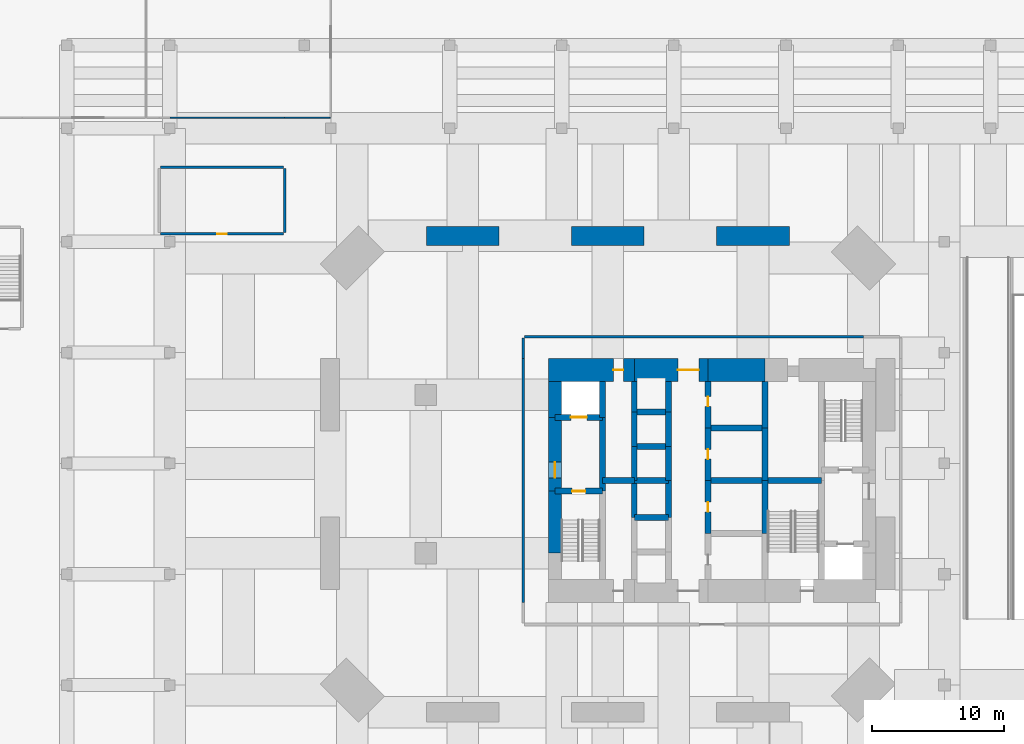
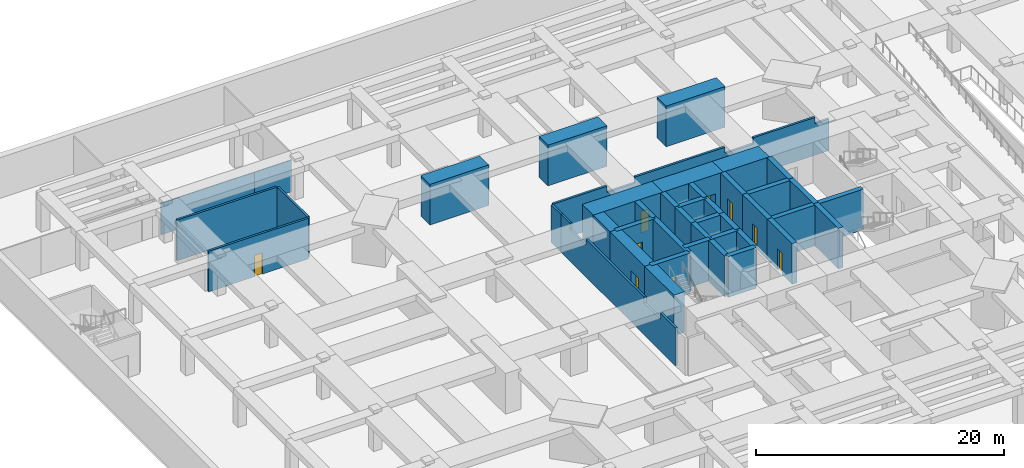
# One storey, part 6 of 10: 43 walls, 9 doors, 9 openings.
"""IFC4 building model written with IfcOpenShell, lengths in metres."""

from ifc_helpers import new_model, si_unit, direction, frame, frame_2d, origin, place, context, subcontext, project, spatial, polyline, rectangle, outline, extrude, material, layer, layer_set, constituent, constituent_set, type_object, element, fill, save


model = new_model("IFC4")

# Units and contexts
model_context = context("Model", 3, precision=1e-05, world=origin(), true_north=direction((0.0, 1.0)))
body_context = subcontext(model_context, "Body", "Model", "MODEL_VIEW")
ifc_project = project(units=[si_unit("LENGTHUNIT", "METRE"), si_unit("AREAUNIT", "SQUARE_METRE"), si_unit("VOLUMEUNIT", "CUBIC_METRE"), si_unit("PLANEANGLEUNIT", "RADIAN"), si_unit("MASSUNIT", "GRAM", prefix="KILO")], contexts=[model_context])

# Site, building, storey
site_placement = place(None, origin())
site = spatial("IfcSite", under=ifc_project, at=site_placement, CompositionType="ELEMENT")
building_placement = place(site_placement, origin())
building = spatial("IfcBuilding", under=site, at=building_placement, Name="Jalousie Tower", CompositionType="ELEMENT")
storey_placement = place(building_placement, frame((0.0, 0.0, -4.0)))
storey = spatial("IfcBuildingStorey", under=building, at=storey_placement, Name="B1", CompositionType="ELEMENT", Elevation=-4.0)

# Wall
ifc_material_1 = material(Name="Concrete f'c 120 MPa", Category="concrete")
ifc_layer_1 = layer(ifc_material_1, 1.0)
ifc_layer_set_1 = layer_set([ifc_layer_1], Name="Concrete f'c 120 MPa")
wall_type_1 = type_object("IfcWallType", Name="CORE WALL 1000", PredefinedType="SHEAR", material=ifc_layer_set_1)
wall_1_placement = place(storey_placement, frame((20.0, 26.0, 0.0), z_axis=(0.0, 0.0, 1.0), x_axis=(0.0, -1.0, 0.0)))
element("IfcWall", 1, at=wall_1_placement, inside=storey, type_object=wall_type_1, Name="Core wall WA B1", PredefinedType="SHEAR", context=body_context, shape_type="SweptSolid", body=[
    extrude(rectangle(XDim=2.699951171875, YDim=1.0, at=frame_2d((1.35009765625, 0.0))), origin(), (0.0, 0.0, 1.0), 4.0),
])

# Wall, opening, door
wall_2_placement = place(storey_placement, frame((20.0, 23.300048828125, 0.0), z_axis=(0.0, 0.0, 1.0), x_axis=(0.0, -1.0, 0.0)))
wall_2 = element("IfcWall", 2, at=wall_2_placement, inside=storey, type_object=wall_type_1, Name="Core wall WB B1", PredefinedType="SHEAR", context=body_context, shape_type="SweptSolid", body=[
    extrude(rectangle(XDim=5.60009765625, YDim=1.0, at=frame_2d((2.800048828125, 0.0))), origin(), (0.0, 0.0, 1.0), 4.0),
])
opening_1_placement = place(wall_2_placement, frame((3.39990234375, 0.0, 0.0)))
opening_1 = element("IfcOpeningElement", 3, at=opening_1_placement, cuts=wall_2, Name="Opening D11", PredefinedType="OPENING", context=body_context, shape_type="SweptSolid", body=[
    extrude(rectangle(XDim=1.199951171875, YDim=2.199951171875, at=frame_2d((0.60009765625, 1.10009765625))), frame((0.0, 0.510009765625, 0.0), z_axis=(0.0, -1.0, 0.0), x_axis=(1.0, 0.0, 0.0)), (0.0, 0.0, 1.0), 1.02001953125),
])
ifc_material_2 = material(Name="Steel fire door", Category="steel")
door_type_1 = type_object("IfcDoorType", Name="FIRE DOOR 1200", OperationType="SINGLE_SWING_LEFT", PredefinedType="DOOR", material=ifc_material_2)
door_1_placement = place(opening_1_placement, origin())
door_1 = element("IfcDoor", 4, at=door_1_placement, inside=storey, type_object=door_type_1, Name="Fire-fighting lobby A door", OperationType="SINGLE_SWING_RIGHT", OverallHeight=2.199951171875, OverallWidth=1.199951171875, PredefinedType="DOOR", context=body_context, shape_type="SweptSolid", body=[
    extrude(rectangle(XDim=1.199951171875, YDim=2.199951171875, at=frame_2d((0.60009765625, 1.10009765625))), frame((0.0, 0.02490234375, 0.0), z_axis=(0.0, -1.0, 0.0), x_axis=(1.0, 0.0, 0.0)), (0.0, 0.0, 1.0), 0.050048828125),
])
fill(opening_1, door_1)

# Walls
wall_3_placement = place(storey_placement, frame((20.0, 17.699951171875, 0.0), z_axis=(0.0, 0.0, 1.0), x_axis=(0.0, -1.0, 0.0)))
element("IfcWall", 5, at=wall_3_placement, inside=storey, type_object=wall_type_1, Name="Core wall WC B1", PredefinedType="SHEAR", context=body_context, shape_type="SweptSolid", body=[
    extrude(rectangle(XDim=4.699951171875, YDim=1.0, at=frame_2d((2.35009765625, 0.0))), origin(), (0.0, 0.0, 1.0), 4.0),
])
ifc_material_3 = material(Name="Concrete f'c 120 MPa", Category="concrete")
ifc_layer_2 = layer(ifc_material_3, 1.75)
ifc_layer_set_2 = layer_set([ifc_layer_2], Name="Concrete f'c 120 MPa")
wall_type_2 = type_object("IfcWallType", Name="CORE WALL 1750", PredefinedType="SHEAR", material=ifc_layer_set_2)
wall_4_placement = place(storey_placement, frame((35.89990234375, 26.875, 0.0), z_axis=(0.0, 0.0, 1.0), x_axis=(-1.0, 0.0, 0.0)))
element("IfcWall", 6, at=wall_4_placement, inside=storey, type_object=wall_type_2, Name="Core wall NB B1", PredefinedType="SHEAR", context=body_context, shape_type="SweptSolid", body=[
    extrude(rectangle(XDim=4.2998046875, YDim=1.75, at=frame_2d((2.14990234375, 0.0))), origin(), (0.0, 0.0, 1.0), 4.0),
])

# Wall, opening, door
wall_5_placement = place(storey_placement, frame((31.60009765625, 26.875, 0.0), z_axis=(0.0, 0.0, 1.0), x_axis=(-1.0, 0.0, 0.0)))
wall_5 = element("IfcWall", 7, at=wall_5_placement, inside=storey, type_object=wall_type_2, Name="Core wall NC B1", PredefinedType="SHEAR", context=body_context, shape_type="SweptSolid", body=[
    extrude(rectangle(XDim=5.60009765625, YDim=1.75, at=frame_2d((2.800048828125, 0.0))), origin(), (0.0, 0.0, 1.0), 4.0),
])
opening_2_placement = place(wall_5_placement, frame((0.699951171875, 0.0, 0.0)))
opening_2 = element("IfcOpeningElement", 8, at=opening_2_placement, cuts=wall_5, Name="Opening D15", PredefinedType="OPENING", context=body_context, shape_type="SweptSolid", body=[
    extrude(rectangle(XDim=1.60009765625, YDim=2.10009765625, at=frame_2d((0.800048828125, 1.050048828125))), frame((0.0, 0.885009765625, 0.0), z_axis=(0.0, -1.0, 0.0), x_axis=(1.0, 0.0, 0.0)), (0.0, 0.0, 1.0), 1.77001953125),
])
ifc_material_4 = material(Name="Steel fire door", Category="steel")
door_type_2 = type_object("IfcDoorType", Name="LIFT LOBBY DOOR 1600", OperationType="DOUBLE_DOOR_SINGLE_SWING", PredefinedType="DOOR", material=ifc_material_4)
door_2_placement = place(opening_2_placement, origin())
door_2 = element("IfcDoor", 9, at=door_2_placement, inside=storey, type_object=door_type_2, Name="Lift lobby north door", OperationType="DOUBLE_DOOR_SINGLE_SWING", OverallHeight=2.10009765625, OverallWidth=1.60009765625, PredefinedType="DOOR", context=body_context, shape_type="SweptSolid", body=[
    extrude(rectangle(XDim=1.60009765625, YDim=2.10009765625, at=frame_2d((0.800048828125, 1.050048828125))), frame((0.0, 0.02490234375, 0.0), z_axis=(0.0, -1.0, 0.0), x_axis=(1.0, 0.0, 0.0)), (0.0, 0.0, 1.0), 0.050048828125),
])
fill(opening_2, door_2)

wall_6_placement = place(storey_placement, frame((26.0, 26.875, 0.0), z_axis=(0.0, 0.0, 1.0), x_axis=(-1.0, 0.0, 0.0)))
wall_6 = element("IfcWall", 10, at=wall_6_placement, inside=storey, type_object=wall_type_2, Name="Core wall ND B1", PredefinedType="SHEAR", context=body_context, shape_type="SweptSolid", body=[
    extrude(rectangle(XDim=6.5, YDim=1.75, at=frame_2d((3.25, 0.0))), origin(), (0.0, 0.0, 1.0), 4.0),
])
opening_3_placement = place(wall_6_placement, frame((0.824951171875, 0.0, 0.0)))
opening_3 = element("IfcOpeningElement", 11, at=opening_3_placement, cuts=wall_6, Name="Opening D16", PredefinedType="OPENING", context=body_context, shape_type="SweptSolid", body=[
    extrude(rectangle(XDim=0.75, YDim=2.10009765625, at=frame_2d((0.375, 1.050048828125))), frame((0.0, 0.885009765625, 0.0), z_axis=(0.0, -1.0, 0.0), x_axis=(1.0, 0.0, 0.0)), (0.0, 0.0, 1.0), 1.77001953125),
])
ifc_material_5 = material(Name="Steel fire door", Category="steel")
door_type_3 = type_object("IfcDoorType", Name="RISER DOOR 750", OperationType="SINGLE_SWING_LEFT", PredefinedType="DOOR", material=ifc_material_5)
door_3_placement = place(opening_3_placement, origin())
door_3 = element("IfcDoor", 12, at=door_3_placement, inside=storey, type_object=door_type_3, Name="North riser door", OperationType="SINGLE_SWING_RIGHT", OverallHeight=2.10009765625, OverallWidth=0.75, PredefinedType="DOOR", context=body_context, shape_type="SweptSolid", body=[
    extrude(rectangle(XDim=0.75, YDim=2.10009765625, at=frame_2d((0.375, 1.050048828125))), frame((0.0, 0.02490234375, 0.0), z_axis=(0.0, -1.0, 0.0), x_axis=(1.0, 0.0, 0.0)), (0.0, 0.0, 1.0), 0.050048828125),
])
fill(opening_3, door_3)

# Walls
ifc_material_6 = material(Name="Concrete f'c 120 MPa", Category="concrete")
ifc_layer_3 = layer(ifc_material_6, 0.449951171875)
ifc_layer_set_3 = layer_set([ifc_layer_3], Name="Concrete f'c 120 MPa")
wall_type_3 = type_object("IfcWallType", Name="CORE WALL 450", PredefinedType="SHEAR", material=ifc_layer_set_3)
wall_7_placement = place(storey_placement, frame((23.60009765625, 17.699951171875, 0.0), z_axis=(0.0, 0.0, 1.0), x_axis=(0.0, 1.0, 0.0)))
element("IfcWall", 13, at=wall_7_placement, inside=storey, type_object=wall_type_3, Name="Core wall X23.6B B1", PredefinedType="SHEAR", context=body_context, shape_type="SweptSolid", body=[
    extrude(rectangle(XDim=5.60009765625, YDim=0.449951171875, at=frame_2d((2.800048828125, 0.0))), origin(), (0.0, 0.0, 1.0), 4.0),
])
wall_8_placement = place(storey_placement, frame((23.60009765625, 23.300048828125, 0.0), z_axis=(0.0, 0.0, 1.0), x_axis=(0.0, 1.0, 0.0)))
element("IfcWall", 14, at=wall_8_placement, inside=storey, type_object=wall_type_3, Name="Core wall X23.6C B1", PredefinedType="SHEAR", context=body_context, shape_type="SweptSolid", body=[
    extrude(rectangle(XDim=2.699951171875, YDim=0.449951171875, at=frame_2d((1.35009765625, 0.0))), origin(), (0.0, 0.0, 1.0), 4.0),
])
wall_9_placement = place(storey_placement, frame((26.0, 15.699951171875, 0.0), z_axis=(0.0, 0.0, 1.0), x_axis=(0.0, 1.0, 0.0)))
element("IfcWall", 15, at=wall_9_placement, inside=storey, type_object=wall_type_3, Name="Core wall X26C B1", PredefinedType="SHEAR", context=body_context, shape_type="SweptSolid", body=[
    extrude(rectangle(XDim=2.800048828125, YDim=0.449951171875, at=frame_2d((1.39990234375, 0.0))), origin(), (0.0, 0.0, 1.0), 4.0),
])
wall_10_placement = place(storey_placement, frame((26.0, 18.5, 0.0), z_axis=(0.0, 0.0, 1.0), x_axis=(0.0, 1.0, 0.0)))
element("IfcWall", 16, at=wall_10_placement, inside=storey, type_object=wall_type_3, Name="Core wall X26D B1", PredefinedType="SHEAR", context=body_context, shape_type="SweptSolid", body=[
    extrude(rectangle(XDim=2.60009765625, YDim=0.449951171875, at=frame_2d((1.300048828125, 0.0))), origin(), (0.0, 0.0, 1.0), 4.0),
])
wall_11_placement = place(storey_placement, frame((26.0, 21.10009765625, 0.0), z_axis=(0.0, 0.0, 1.0), x_axis=(0.0, 1.0, 0.0)))
element("IfcWall", 17, at=wall_11_placement, inside=storey, type_object=wall_type_3, Name="Core wall X26E B1", PredefinedType="SHEAR", context=body_context, shape_type="SweptSolid", body=[
    extrude(rectangle(XDim=2.599853515625, YDim=0.449951171875, at=frame_2d((1.2998046875, 0.0))), origin(), (0.0, 0.0, 1.0), 4.0),
])
wall_12_placement = place(storey_placement, frame((26.0, 23.699951171875, 0.0), z_axis=(0.0, 0.0, 1.0), x_axis=(0.0, 1.0, 0.0)))
element("IfcWall", 18, at=wall_12_placement, inside=storey, type_object=wall_type_3, Name="Core wall X26F B1", PredefinedType="SHEAR", context=body_context, shape_type="SweptSolid", body=[
    extrude(rectangle(XDim=2.300048828125, YDim=0.449951171875, at=frame_2d((1.14990234375, 0.0))), origin(), (0.0, 0.0, 1.0), 4.0),
])
wall_13_placement = place(storey_placement, frame((28.60009765625, 15.699951171875, 0.0), z_axis=(0.0, 0.0, 1.0), x_axis=(0.0, 1.0, 0.0)))
element("IfcWall", 19, at=wall_13_placement, inside=storey, type_object=wall_type_3, Name="Core wall X28.6C B1", PredefinedType="SHEAR", context=body_context, shape_type="SweptSolid", body=[
    extrude(rectangle(XDim=2.800048828125, YDim=0.449951171875, at=frame_2d((1.39990234375, 0.0))), origin(), (0.0, 0.0, 1.0), 4.0),
])
wall_14_placement = place(storey_placement, frame((28.60009765625, 18.5, 0.0), z_axis=(0.0, 0.0, 1.0), x_axis=(0.0, 1.0, 0.0)))
element("IfcWall", 20, at=wall_14_placement, inside=storey, type_object=wall_type_3, Name="Core wall X28.6D B1", PredefinedType="SHEAR", context=body_context, shape_type="SweptSolid", body=[
    extrude(rectangle(XDim=2.60009765625, YDim=0.449951171875, at=frame_2d((1.300048828125, 0.0))), origin(), (0.0, 0.0, 1.0), 4.0),
])
wall_15_placement = place(storey_placement, frame((28.60009765625, 21.10009765625, 0.0), z_axis=(0.0, 0.0, 1.0), x_axis=(0.0, 1.0, 0.0)))
element("IfcWall", 21, at=wall_15_placement, inside=storey, type_object=wall_type_3, Name="Core wall X28.6E B1", PredefinedType="SHEAR", context=body_context, shape_type="SweptSolid", body=[
    extrude(rectangle(XDim=2.599853515625, YDim=0.449951171875, at=frame_2d((1.2998046875, 0.0))), origin(), (0.0, 0.0, 1.0), 4.0),
])
wall_16_placement = place(storey_placement, frame((28.60009765625, 23.699951171875, 0.0), z_axis=(0.0, 0.0, 1.0), x_axis=(0.0, 1.0, 0.0)))
element("IfcWall", 22, at=wall_16_placement, inside=storey, type_object=wall_type_3, Name="Core wall X28.6F B1", PredefinedType="SHEAR", context=body_context, shape_type="SweptSolid", body=[
    extrude(rectangle(XDim=2.300048828125, YDim=0.449951171875, at=frame_2d((1.14990234375, 0.0))), origin(), (0.0, 0.0, 1.0), 4.0),
])

# Wall, opening, door
wall_17_placement = place(storey_placement, frame((31.60009765625, 14.5, 0.0), z_axis=(0.0, 0.0, 1.0), x_axis=(0.0, 1.0, 0.0)))
wall_17 = element("IfcWall", 23, at=wall_17_placement, inside=storey, type_object=wall_type_3, Name="Core wall X31.6B B1", PredefinedType="SHEAR", context=body_context, shape_type="SweptSolid", body=[
    extrude(rectangle(XDim=4.0, YDim=0.449951171875, at=frame_2d((2.0, 0.0))), origin(), (0.0, 0.0, 1.0), 4.0),
])
opening_4_placement = place(wall_17_placement, frame((1.625, 0.0, 0.0)))
opening_4 = element("IfcOpeningElement", 24, at=opening_4_placement, cuts=wall_17, Name="Opening D16", PredefinedType="OPENING", context=body_context, shape_type="SweptSolid", body=[
    extrude(rectangle(XDim=0.75, YDim=2.10009765625, at=frame_2d((0.375, 1.050048828125))), frame((0.0, 0.23486328125, 0.0), z_axis=(0.0, -1.0, 0.0), x_axis=(1.0, 0.0, 0.0)), (0.0, 0.0, 1.0), 0.469970703125),
])
door_4_placement = place(opening_4_placement, frame((0.75, 0.0, 0.0), z_axis=(0.0, 0.0, 1.0), x_axis=(-1.0, 0.0, 0.0)))
door_4 = element("IfcDoor", 25, at=door_4_placement, inside=storey, type_object=door_type_3, Name="Electrical Room door", OperationType="SINGLE_SWING_RIGHT", OverallHeight=2.10009765625, OverallWidth=0.75, PredefinedType="DOOR", context=body_context, shape_type="SweptSolid", body=[
    extrude(rectangle(XDim=0.75, YDim=2.10009765625, at=frame_2d((0.375, 1.050048828125))), frame((0.0, 0.02490234375, 0.0), z_axis=(0.0, -1.0, 0.0), x_axis=(1.0, 0.0, 0.0)), (0.0, 0.0, 1.0), 0.050048828125),
])
fill(opening_4, door_4)

wall_18_placement = place(storey_placement, frame((31.60009765625, 18.5, 0.0), z_axis=(0.0, 0.0, 1.0), x_axis=(0.0, 1.0, 0.0)))
wall_18 = element("IfcWall", 26, at=wall_18_placement, inside=storey, type_object=wall_type_3, Name="Core wall X31.6C B1", PredefinedType="SHEAR", context=body_context, shape_type="SweptSolid", body=[
    extrude(rectangle(XDim=4.0, YDim=0.449951171875, at=frame_2d((2.0, 0.0))), origin(), (0.0, 0.0, 1.0), 4.0),
])
opening_5_placement = place(wall_18_placement, frame((1.625, 0.0, 0.0)))
opening_5 = element("IfcOpeningElement", 27, at=opening_5_placement, cuts=wall_18, Name="Opening D16", PredefinedType="OPENING", context=body_context, shape_type="SweptSolid", body=[
    extrude(rectangle(XDim=0.75, YDim=2.10009765625, at=frame_2d((0.375, 1.050048828125))), frame((0.0, 0.23486328125, 0.0), z_axis=(0.0, -1.0, 0.0), x_axis=(1.0, 0.0, 0.0)), (0.0, 0.0, 1.0), 0.469970703125),
])
door_5_placement = place(opening_5_placement, frame((0.75, 0.0, 0.0), z_axis=(0.0, 0.0, 1.0), x_axis=(-1.0, 0.0, 0.0)))
door_5 = element("IfcDoor", 28, at=door_5_placement, inside=storey, type_object=door_type_3, Name="Telecom Room door", OperationType="SINGLE_SWING_RIGHT", OverallHeight=2.10009765625, OverallWidth=0.75, PredefinedType="DOOR", context=body_context, shape_type="SweptSolid", body=[
    extrude(rectangle(XDim=0.75, YDim=2.10009765625, at=frame_2d((0.375, 1.050048828125))), frame((0.0, 0.02490234375, 0.0), z_axis=(0.0, -1.0, 0.0), x_axis=(1.0, 0.0, 0.0)), (0.0, 0.0, 1.0), 0.050048828125),
])
fill(opening_5, door_5)

wall_19_placement = place(storey_placement, frame((31.60009765625, 22.5, 0.0), z_axis=(0.0, 0.0, 1.0), x_axis=(0.0, 1.0, 0.0)))
wall_19 = element("IfcWall", 29, at=wall_19_placement, inside=storey, type_object=wall_type_3, Name="Core wall X31.6D B1", PredefinedType="SHEAR", context=body_context, shape_type="SweptSolid", body=[
    extrude(rectangle(XDim=3.5, YDim=0.449951171875, at=frame_2d((1.75, 0.0))), origin(), (0.0, 0.0, 1.0), 4.0),
])
opening_6_placement = place(wall_19_placement, frame((1.625, 0.0, 0.0)))
opening_6 = element("IfcOpeningElement", 30, at=opening_6_placement, cuts=wall_19, Name="Opening D16", PredefinedType="OPENING", context=body_context, shape_type="SweptSolid", body=[
    extrude(rectangle(XDim=0.75, YDim=2.10009765625, at=frame_2d((0.375, 1.050048828125))), frame((0.0, 0.23486328125, 0.0), z_axis=(0.0, -1.0, 0.0), x_axis=(1.0, 0.0, 0.0)), (0.0, 0.0, 1.0), 0.469970703125),
])
door_6_placement = place(opening_6_placement, frame((0.75, 0.0, 0.0), z_axis=(0.0, 0.0, 1.0), x_axis=(-1.0, 0.0, 0.0)))
door_6 = element("IfcDoor", 31, at=door_6_placement, inside=storey, type_object=door_type_3, Name="Water Services Room door", OperationType="SINGLE_SWING_LEFT", OverallHeight=2.10009765625, OverallWidth=0.75, PredefinedType="DOOR", context=body_context, shape_type="SweptSolid", body=[
    extrude(rectangle(XDim=0.75, YDim=2.10009765625, at=frame_2d((0.375, 1.050048828125))), frame((0.0, 0.02490234375, 0.0), z_axis=(0.0, -1.0, 0.0), x_axis=(1.0, 0.0, 0.0)), (0.0, 0.0, 1.0), 0.050048828125),
])
fill(opening_6, door_6)

# Walls
for number, where, z_axis, x_axis, name in (
    (32, (35.89990234375, 14.5, 0.0), (0.0, 0.0, 1.0), (0.0, 1.0, 0.0), "Core wall X35.9B B1"),
    (33, (35.89990234375, 18.5, 0.0), (0.0, 0.0, 1.0), (0.0, 1.0, 0.0), "Core wall X35.9C B1"),
):
    element("IfcWall", number, at=place(storey_placement, frame(where, z_axis=z_axis, x_axis=x_axis)), inside=storey, type_object=wall_type_3, Name=name, PredefinedType="SHEAR", context=body_context, shape_type="SweptSolid", body=[
        extrude(rectangle(XDim=4.0, YDim=0.449951171875, at=frame_2d((2.0, 0.0))), origin(), (0.0, 0.0, 1.0), 4.0),
    ])
wall_20_placement = place(storey_placement, frame((35.89990234375, 22.5, 0.0), z_axis=(0.0, 0.0, 1.0), x_axis=(0.0, 1.0, 0.0)))
element("IfcWall", 34, at=wall_20_placement, inside=storey, type_object=wall_type_3, Name="Core wall X35.9D B1", PredefinedType="SHEAR", context=body_context, shape_type="SweptSolid", body=[
    extrude(rectangle(XDim=3.5, YDim=0.449951171875, at=frame_2d((1.75, 0.0))), origin(), (0.0, 0.0, 1.0), 4.0),
])

# Wall, opening, door
wall_21_placement = place(storey_placement, frame((20.0, 17.699951171875, 0.0), z_axis=(0.0, 0.0, 1.0), x_axis=(1.0, 0.0, 0.0)))
wall_21 = element("IfcWall", 35, at=wall_21_placement, inside=storey, type_object=wall_type_3, Name="Core wall Y20-17.7 B1", PredefinedType="SHEAR", context=body_context, shape_type="SweptSolid", body=[
    extrude(rectangle(XDim=3.60009765625, YDim=0.449951171875, at=frame_2d((1.800048828125, 0.0))), origin(), (0.0, 0.0, 1.0), 4.0),
])
opening_7_placement = place(wall_21_placement, frame((1.300048828125, 0.0, 0.0)))
opening_7 = element("IfcOpeningElement", 36, at=opening_7_placement, cuts=wall_21, Name="Opening D10", PredefinedType="OPENING", context=body_context, shape_type="SweptSolid", body=[
    extrude(rectangle(XDim=1.0, YDim=2.10009765625, at=frame_2d((0.5, 1.050048828125))), frame((0.0, 0.23486328125, 0.0), z_axis=(0.0, -1.0, 0.0), x_axis=(1.0, 0.0, 0.0)), (0.0, 0.0, 1.0), 0.469970703125),
])
ifc_material_7 = material(Name="Steel fire door", Category="steel")
door_type_4 = type_object("IfcDoorType", Name="STAIR DOOR 1000", OperationType="SINGLE_SWING_LEFT", PredefinedType="DOOR", material=ifc_material_7)
door_7_placement = place(opening_7_placement, frame((1.0, 0.0, 0.0), z_axis=(0.0, 0.0, 1.0), x_axis=(-1.0, 0.0, 0.0)))
door_7 = element("IfcDoor", 37, at=door_7_placement, inside=storey, type_object=door_type_4, Name="Exit stair A door", OperationType="SINGLE_SWING_RIGHT", OverallHeight=2.10009765625, OverallWidth=1.0, PredefinedType="DOOR", context=body_context, shape_type="SweptSolid", body=[
    extrude(rectangle(XDim=1.0, YDim=2.10009765625, at=frame_2d((0.5, 1.050048828125))), frame((0.0, 0.02490234375, 0.0), z_axis=(0.0, -1.0, 0.0), x_axis=(1.0, 0.0, 0.0)), (0.0, 0.0, 1.0), 0.050048828125),
])
fill(opening_7, door_7)

wall_22_placement = place(storey_placement, frame((20.0, 23.300048828125, 0.0), z_axis=(0.0, 0.0, 1.0), x_axis=(1.0, 0.0, 0.0)))
wall_22 = element("IfcWall", 38, at=wall_22_placement, inside=storey, type_object=wall_type_3, Name="Core wall Y20-23.3 B1", PredefinedType="SHEAR", context=body_context, shape_type="SweptSolid", body=[
    extrude(rectangle(XDim=3.60009765625, YDim=0.449951171875, at=frame_2d((1.800048828125, 0.0))), origin(), (0.0, 0.0, 1.0), 4.0),
])
opening_8_placement = place(wall_22_placement, frame((1.199951171875, 0.0, 0.0)))
opening_8 = element("IfcOpeningElement", 39, at=opening_8_placement, cuts=wall_22, Name="Opening LD2", PredefinedType="OPENING", context=body_context, shape_type="SweptSolid", body=[
    extrude(rectangle(XDim=1.199951171875, YDim=2.10009765625, at=frame_2d((0.60009765625, 1.050048828125))), frame((0.0, 0.23486328125, 0.0), z_axis=(0.0, -1.0, 0.0), x_axis=(1.0, 0.0, 0.0)), (0.0, 0.0, 1.0), 0.469970703125),
])
ifc_material_8 = material(Name="Steel lift landing door", Category="steel")
door_type_5 = type_object("IfcDoorType", Name="LIFT LANDING DOOR 1200", OperationType="SLIDING_TO_LEFT", PredefinedType="DOOR", material=ifc_material_8)
door_8_placement = place(opening_8_placement, origin())
door_8 = element("IfcDoor", 40, at=door_8_placement, inside=storey, type_object=door_type_5, Name="Lift F1 landing door", OperationType="SLIDING_TO_LEFT", OverallHeight=2.10009765625, OverallWidth=1.199951171875, PredefinedType="DOOR", context=body_context, shape_type="SweptSolid", body=[
    extrude(rectangle(XDim=1.199951171875, YDim=2.10009765625, at=frame_2d((0.60009765625, 1.050048828125))), frame((0.0, 0.02490234375, 0.0), z_axis=(0.0, -1.0, 0.0), x_axis=(1.0, 0.0, 0.0)), (0.0, 0.0, 1.0), 0.050048828125),
])
fill(opening_8, door_8)

# Walls
wall_23_placement = place(storey_placement, frame((23.60009765625, 18.5, 0.0), z_axis=(0.0, 0.0, 1.0), x_axis=(1.0, 0.0, 0.0)))
element("IfcWall", 41, at=wall_23_placement, inside=storey, type_object=wall_type_3, Name="Core wall Y23.6-18.5 B1", PredefinedType="SHEAR", context=body_context, shape_type="SweptSolid", body=[
    extrude(rectangle(XDim=2.39990234375, YDim=0.449951171875, at=frame_2d((1.199951171875, 0.0))), origin(), (0.0, 0.0, 1.0), 4.0),
])
for number, where, z_axis, x_axis, name in (
    (42, (26.0, 15.699951171875, 0.0), (0.0, 0.0, 1.0), (1.0, 0.0, 0.0), "Core wall Y26-15.7 B1"),
    (43, (26.0, 18.5, 0.0), (0.0, 0.0, 1.0), (1.0, 0.0, 0.0), "Core wall Y26-18.5 B1"),
    (44, (26.0, 21.10009765625, 0.0), (0.0, 0.0, 1.0), (1.0, 0.0, 0.0), "Core wall Y26-21.1 B1"),
    (45, (26.0, 23.699951171875, 0.0), (0.0, 0.0, 1.0), (1.0, 0.0, 0.0), "Core wall Y26-23.7 B1"),
):
    element("IfcWall", number, at=place(storey_placement, frame(where, z_axis=z_axis, x_axis=x_axis)), inside=storey, type_object=wall_type_3, Name=name, PredefinedType="SHEAR", context=body_context, shape_type="SweptSolid", body=[
        extrude(rectangle(XDim=2.60009765625, YDim=0.449951171875, at=frame_2d((1.300048828125, 0.0))), origin(), (0.0, 0.0, 1.0), 4.0),
    ])
for number, where, z_axis, x_axis, name in (
    (46, (31.60009765625, 18.5, 0.0), (0.0, 0.0, 1.0), (1.0, 0.0, 0.0), "Core wall Y31.6-18.5 B1"),
    (47, (31.60009765625, 22.5, 0.0), (0.0, 0.0, 1.0), (1.0, 0.0, 0.0), "Core wall Y31.6-22.5 B1"),
):
    element("IfcWall", number, at=place(storey_placement, frame(where, z_axis=z_axis, x_axis=x_axis)), inside=storey, type_object=wall_type_3, Name=name, PredefinedType="SHEAR", context=body_context, shape_type="SweptSolid", body=[
        extrude(rectangle(XDim=4.2998046875, YDim=0.449951171875, at=frame_2d((2.14990234375, 0.0))), origin(), (0.0, 0.0, 1.0), 4.0),
    ])
wall_24_placement = place(storey_placement, frame((35.89990234375, 18.5, 0.0), z_axis=(0.0, 0.0, 1.0), x_axis=(1.0, 0.0, 0.0)))
element("IfcWall", 48, at=wall_24_placement, inside=storey, type_object=wall_type_3, Name="Core wall Y35.9-18.5 B1", PredefinedType="SHEAR", context=body_context, shape_type="SweptSolid", body=[
    extrude(rectangle(XDim=4.300048828125, YDim=0.449951171875, at=frame_2d((2.14990234375, 0.0))), origin(), (0.0, 0.0, 1.0), 4.0),
])
ifc_material_9 = material(Name="Concrete block ASTM C90", Category="concrete")
ifc_constituent_1 = constituent(ifc_material_9, Name="Body")
ifc_material_10 = material(Name="Render")
ifc_constituent_2 = constituent(ifc_material_10, Name="Finish")
ifc_constituent_set_1 = constituent_set(constituents=[ifc_constituent_1, ifc_constituent_2])
wall_type_4 = type_object("IfcWallType", Name="CORRIDOR WALL 200", PredefinedType="PARTITIONING", material=ifc_constituent_set_1)
wall_25_placement = place(storey_placement, frame((17.60009765625, 27.75, 0.0), z_axis=(0.0, 0.0, 1.0), x_axis=(0.0, 1.0, 0.0)))
element("IfcWall", 49, at=wall_25_placement, inside=storey, type_object=wall_type_4, Name="Corridor Wall 200 B1", PredefinedType="PARTITIONING", context=body_context, shape_type="SweptSolid", body=[
    extrude(rectangle(XDim=1.550048828125, YDim=0.199951171875, at=frame_2d((0.77490234375, 0.0))), origin(), (0.0, 0.0, 1.0), 3.719970703125),
])
wall_26_placement = place(storey_placement, frame((17.60009765625, 9.25, 0.0), z_axis=(0.0, 0.0, 1.0), x_axis=(0.0, 1.0, 0.0)))
element("IfcWall", 50, at=wall_26_placement, inside=storey, type_object=wall_type_4, Name="Corridor Wall 200 B1", PredefinedType="PARTITIONING", context=body_context, shape_type="SweptSolid", body=[
    extrude(outline(polyline([(0.0, 0.0), (18.5, 0.0), (18.5, 3.719970703125), (17.06005859375, 3.719970703125), (17.06005859375, 3.1201171875), (14.43994140625, 3.1201171875), (14.43994140625, 3.719970703125), (5.06005859375, 3.719970703125), (5.06005859375, 3.1201171875), (2.43994140625, 3.1201171875), (2.43994140625, 3.719970703125), (0.0, 3.719970703125), (0.0, 0.0)])), frame((0.0, 0.10009765625, 0.0), z_axis=(0.0, -1.0, 0.0), x_axis=(1.0, 0.0, 0.0)), (0.0, 0.0, 1.0), 0.199951171875),
])
wall_27_placement = place(storey_placement, frame((17.699951171875, 29.39990234375, 0.0), z_axis=(0.0, 0.0, 1.0), x_axis=(1.0, 0.0, 0.0)))
element("IfcWall", 51, at=wall_27_placement, inside=storey, type_object=wall_type_4, Name="Corridor Wall 200 B1-A", PredefinedType="PARTITIONING", context=body_context, shape_type="SweptSolid", body=[
    extrude(outline(polyline([(0.0, 0.0), (25.668701171875, 0.0), (25.668701171875, 3.1201171875), (24.358642578125, 3.1201171875), (24.358642578125, 3.719970703125), (18.610107421875, 3.719970703125), (18.610107421875, 3.1201171875), (15.989990234375, 3.1201171875), (15.989990234375, 3.719970703125), (7.610107421875, 3.719970703125), (7.610107421875, 3.1201171875), (4.989990234375, 3.1201171875), (4.989990234375, 3.719970703125), (0.0, 3.719970703125), (0.0, 0.0)])), frame((0.0, 0.10009765625, 0.0), z_axis=(0.0, -1.0, 0.0), x_axis=(1.0, 0.0, 0.0)), (0.0, 0.0, 1.0), 0.199951171875),
])
ifc_material_11 = material(Name="Gypsum board", Category="gypsum")
ifc_constituent_3 = constituent(ifc_material_11, Name="Body")
ifc_material_12 = material(Name="Light-gauge steel studs ASTM A653 SS Grade 33", Category="steel")
ifc_constituent_4 = constituent(ifc_material_12, Name="Framing")
ifc_constituent_set_2 = constituent_set(constituents=[ifc_constituent_3, ifc_constituent_4])
wall_type_5 = type_object("IfcWallType", Name="PARTITION 100", PredefinedType="PARTITIONING", material=ifc_constituent_set_2)
wall_28_placement = place(storey_placement, frame((-0.5, 46.0, 0.0), z_axis=(0.0, 0.0, 1.0), x_axis=(1.0, 0.0, 0.0)))
element("IfcWall", 52, at=wall_28_placement, inside=storey, type_object=wall_type_5, Name="Partition 100 B1", PredefinedType="PARTITIONING", context=body_context, shape_type="SweptSolid", body=[
    extrude(outline(polyline([(0.0, 0.0), (3.449951171875, 0.0), (3.449951171875, 3.719970703125), (3.449951171875, 3.1201171875), (0.0, 3.1201171875), (0.0, 3.719970703125), (0.0, 0.0)])), frame((0.0, 0.050048828125, 0.0), z_axis=(0.0, -1.0, 0.0), x_axis=(1.0, 0.0, 0.0)), (0.0, 0.0, 1.0), 0.10009765625),
])
wall_29_placement = place(storey_placement, frame((-9.199951171875, 46.0, 0.0), z_axis=(0.0, 0.0, 1.0), x_axis=(1.0, 0.0, 0.0)))
element("IfcWall", 53, at=wall_29_placement, inside=storey, type_object=wall_type_5, Name="Partition 100 B1-B", PredefinedType="PARTITIONING", context=body_context, shape_type="SweptSolid", body=[
    extrude(rectangle(XDim=8.699951171875, YDim=0.10009765625, at=frame_2d((4.35009765625, 0.0))), origin(), (0.0, 0.0, 1.0), 3.1201171875),
])
ifc_material_13 = material(Name="Concrete f'c 120 MPa", Category="concrete")
ifc_layer_4 = layer(ifc_material_13, 1.449951171875)
ifc_layer_set_4 = layer_set([ifc_layer_4], Name="Concrete f'c 120 MPa")
wall_type_6 = type_object("IfcWallType", Name="RC WALL PIER 1450", PredefinedType="SHEAR", material=ifc_layer_set_4)
for number, where, z_axis, x_axis, name in (
    (54, (32.25, 37.050048828125, 0.0), (0.0, 0.0, 1.0), (1.0, 0.0, 0.0), "Wall pier 09 B1"),
    (55, (21.25, 37.050048828125, 0.0), (0.0, 0.0, 1.0), (1.0, 0.0, 0.0), "Wall pier 10 B1"),
    (56, (10.25, 37.050048828125, 0.0), (0.0, 0.0, 1.0), (1.0, 0.0, 0.0), "Wall pier 11 B1"),
):
    element("IfcWall", number, at=place(storey_placement, frame(where, z_axis=z_axis, x_axis=x_axis)), inside=storey, type_object=wall_type_6, Name=name, PredefinedType="SHEAR", context=body_context, shape_type="SweptSolid", body=[
        extrude(rectangle(XDim=5.5, YDim=1.449951171875, at=frame_2d((2.75, 0.0))), origin(), (0.0, 0.0, 1.0), 4.0),
    ])
ifc_material_14 = material(Name="Concrete block ASTM C90", Category="concrete")
ifc_constituent_5 = constituent(ifc_material_14, Name="Body")
ifc_material_15 = material(Name="Render")
ifc_constituent_6 = constituent(ifc_material_15, Name="Finish")
ifc_constituent_set_3 = constituent_set(constituents=[ifc_constituent_5, ifc_constituent_6])
wall_type_7 = type_object("IfcWallType", Name="STAIR WALL 200", PredefinedType="SOLIDWALL", material=ifc_constituent_set_3)
wall_30_placement = place(storey_placement, frame((-0.5, 37.300048828125, 0.0), z_axis=(0.0, 0.0, 1.0), x_axis=(0.0, 1.0, 0.0)))
element("IfcWall", 57, at=wall_30_placement, inside=storey, type_object=wall_type_7, Name="Stair Wall 200 B1", PredefinedType="SOLIDWALL", context=body_context, shape_type="SweptSolid", body=[
    extrude(rectangle(XDim=4.849853515625, YDim=0.199951171875, at=frame_2d((2.4248046875, 0.0))), origin(), (0.0, 0.0, 1.0), 4.0),
])

# Wall, opening, door
wall_31_placement = place(storey_placement, frame((-9.89990234375, 37.199951171875, 0.0), z_axis=(0.0, 0.0, 1.0), x_axis=(1.0, 0.0, 0.0)))
wall_31 = element("IfcWall", 58, at=wall_31_placement, inside=storey, type_object=wall_type_7, Name="Stair Wall 200 B1", PredefinedType="SOLIDWALL", context=body_context, shape_type="SweptSolid", body=[
    extrude(rectangle(XDim=9.2998046875, YDim=0.199951171875, at=frame_2d((4.64990234375, 0.0))), origin(), (0.0, 0.0, 1.0), 4.0),
])
opening_9_placement = place(wall_31_placement, frame((4.300048828125, 0.0, 0.0)))
opening_9 = element("IfcOpeningElement", 59, at=opening_9_placement, cuts=wall_31, Name="Opening D23", PredefinedType="OPENING", context=body_context, shape_type="SweptSolid", body=[
    extrude(rectangle(XDim=0.699951171875, YDim=2.10009765625, at=frame_2d((0.35009765625, 1.050048828125))), frame((0.0, 0.10986328125, 0.0), z_axis=(0.0, -1.0, 0.0), x_axis=(1.0, 0.0, 0.0)), (0.0, 0.0, 1.0), 0.219970703125),
])
ifc_material_16 = material(Name="Steel fire door", Category="steel")
door_type_6 = type_object("IfcDoorType", Name="STAIR STORE DOOR 700", OperationType="SINGLE_SWING_LEFT", PredefinedType="DOOR", material=ifc_material_16)
door_9_placement = place(opening_9_placement, origin())
door_9 = element("IfcDoor", 60, at=door_9_placement, inside=storey, type_object=door_type_6, Name="Store door", OperationType="SINGLE_SWING_LEFT", OverallHeight=2.10009765625, OverallWidth=0.699951171875, PredefinedType="DOOR", context=body_context, shape_type="SweptSolid", body=[
    extrude(rectangle(XDim=0.699951171875, YDim=2.10009765625, at=frame_2d((0.35009765625, 1.050048828125))), frame((0.0, 0.02490234375, 0.0), z_axis=(0.0, -1.0, 0.0), x_axis=(1.0, 0.0, 0.0)), (0.0, 0.0, 1.0), 0.050048828125),
])
fill(opening_9, door_9)

# Wall
wall_32_placement = place(storey_placement, frame((-9.89990234375, 42.25, 0.0), z_axis=(0.0, 0.0, 1.0), x_axis=(1.0, 0.0, 0.0)))
element("IfcWall", 61, at=wall_32_placement, inside=storey, type_object=wall_type_7, Name="Stair Wall 200 B1", PredefinedType="SOLIDWALL", context=body_context, shape_type="SweptSolid", body=[
    extrude(rectangle(XDim=9.2998046875, YDim=0.199951171875, at=frame_2d((4.64990234375, 0.0))), origin(), (0.0, 0.0, 1.0), 4.0),
])

save(model, "model.ifc")
